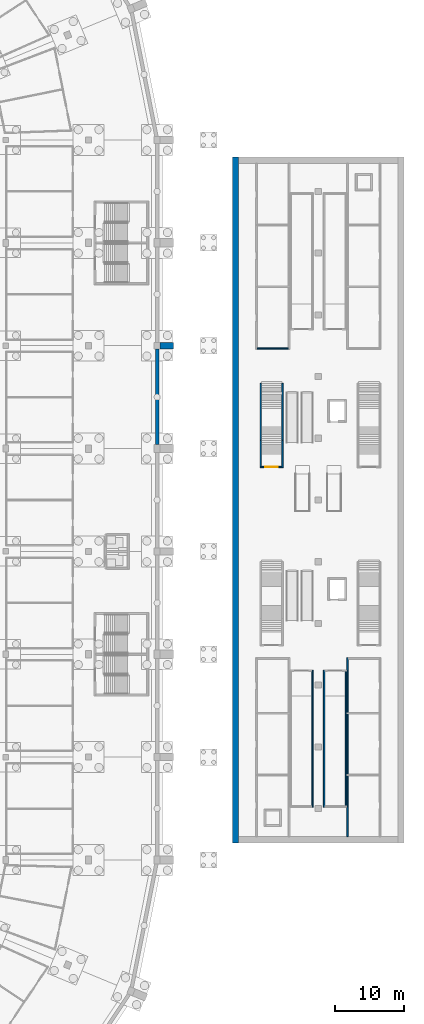
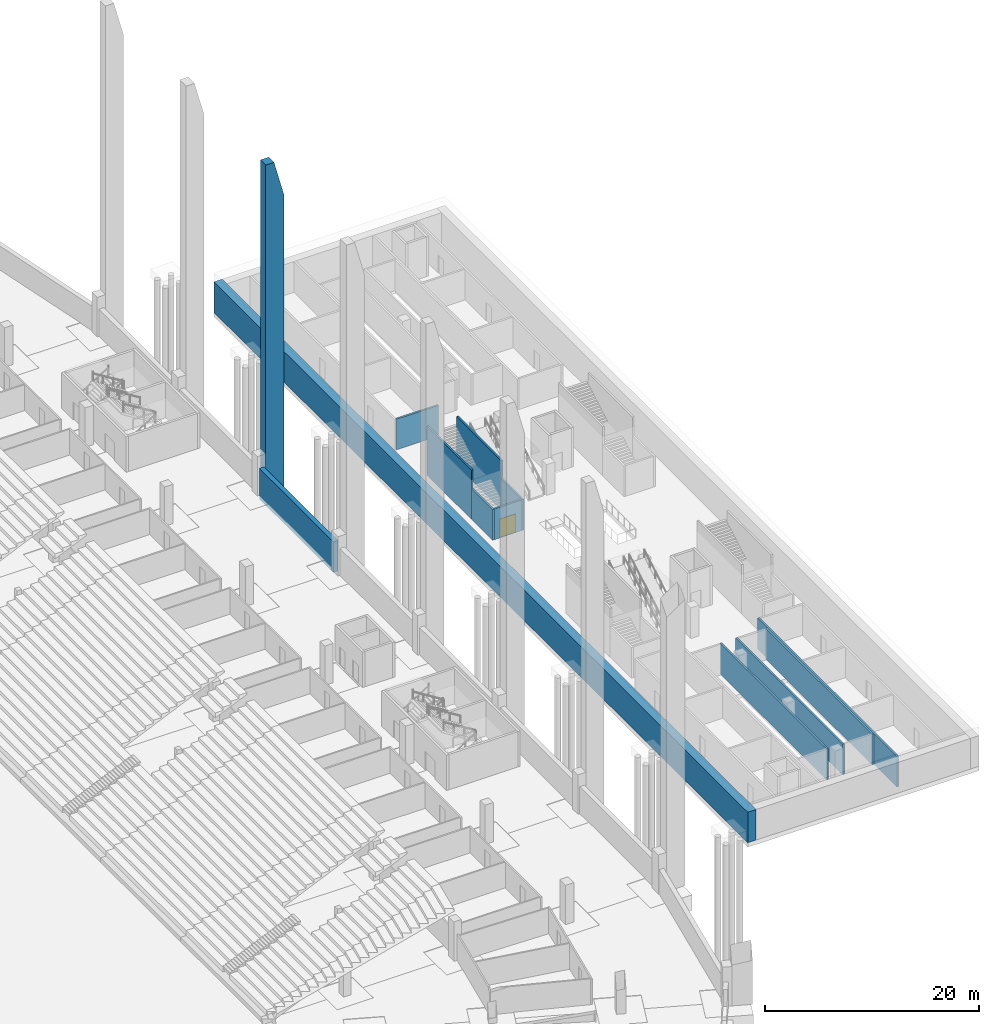
# One storey, part 30 of 115: 13 walls, 1 door, 1 opening.
"""IFC4 building model written with IfcOpenShell, lengths in metres."""

import ifcopenshell
import ifcopenshell.guid

model = None  # the IFC model being written
_history = None  # IfcOwnerHistory: only IFC2X3 demands one
_inside = {}  # id of a spatial element -> (the spatial element, [elements in it])
_under = {}  # id of a project, library or spatial element -> (it, [spatial elements below it])
_declared = {}  # id of a project -> (the project, [libraries it declares])
_typed = {}  # id of a type object -> (the type object, [elements of that type])
_made_of = {}  # id of a material, layer set ... -> (it, [elements and type objects made of it])


def new_model(schema):
    """Start an empty IFC model of exactly this schema.

    Asked for "IFC4X3", IfcOpenShell would pick the latest addendum, in which some entities
    have other attributes; the version numbers below select the first issue.
    IFC2X3 requires an IfcOwnerHistory on every rooted entity: one is made here for all.
    """
    global model, _history
    if schema == "IFC4X3":
        model = ifcopenshell.file(schema_version=(4, 3, 0, 0))
    else:
        model = ifcopenshell.file(schema=schema)
    _inside.clear()
    _under.clear()
    _declared.clear()
    _typed.clear()
    _made_of.clear()
    _history = None
    if model.schema == "IFC2X3":
        org = make("IfcOrganization", Name="unknown")
        user = make(
            "IfcPersonAndOrganization",
            ThePerson=make("IfcPerson", FamilyName="unknown"),
            TheOrganization=org,
        )
        app = make(
            "IfcApplication",
            ApplicationDeveloper=org,
            Version="unknown",
            ApplicationFullName="unknown",
            ApplicationIdentifier="unknown",
        )
        _history = make(
            "IfcOwnerHistory",
            OwningUser=user,
            OwningApplication=app,
            ChangeAction="ADDED",
            CreationDate=0,
        )
    return model


def make(cls, **values):
    """One entity of the class cls with the attributes given. An attribute that is None is left unset."""
    return model.create_entity(
        cls, **{name: value for name, value in values.items() if value is not None}
    )


def rooted(cls, **values):
    """An entity with a GlobalId (a new one), such as an element, a storey or a relation."""
    return make(cls, GlobalId=ifcopenshell.guid.new(), OwnerHistory=_history, **values)


def si_unit(unit_type, name, prefix=None):
    """IfcSIUnit, for example si_unit("LENGTHUNIT", "METRE", prefix="MILLI")."""
    return make("IfcSIUnit", UnitType=unit_type, Prefix=prefix, Name=name)


def assignment(units):
    """IfcUnitAssignment: the units of a project."""
    return None if units is None else make("IfcUnitAssignment", Units=units)


def point(xyz):
    """IfcCartesianPoint."""
    return None if xyz is None else make("IfcCartesianPoint", Coordinates=xyz)


def direction(xyz):
    """IfcDirection."""
    return None if xyz is None else make("IfcDirection", DirectionRatios=xyz)


def frame(location, z_axis=None, x_axis=None):
    """IfcAxis2Placement3D, a coordinate frame: its origin and axes. An axis left out is left unset."""
    return make(
        "IfcAxis2Placement3D",
        Location=point(location),
        Axis=direction(z_axis),
        RefDirection=direction(x_axis),
    )


def frame_2d(location, x_axis=None):
    """IfcAxis2Placement2D, a coordinate frame in the plane: its origin and x axis."""
    return make(
        "IfcAxis2Placement2D", Location=point(location), RefDirection=direction(x_axis)
    )


def origin():
    """The frame at (0, 0, 0) with its axes left unset."""
    return frame((0.0, 0.0, 0.0))


def place(relative_to, where):
    """IfcLocalPlacement: puts the frame where relative to a parent placement (None: the world)."""
    return make(
        "IfcLocalPlacement", PlacementRelTo=relative_to, RelativePlacement=where
    )


def context(
    kind, dimensions, precision=None, world=None, true_north=None, identifier=None
):
    """IfcGeometricRepresentationContext, for example the 3D "Model" context."""
    return make(
        "IfcGeometricRepresentationContext",
        ContextIdentifier=identifier,
        ContextType=kind,
        CoordinateSpaceDimension=dimensions,
        Precision=precision,
        WorldCoordinateSystem=world,
        TrueNorth=true_north,
    )


def subcontext(parent, identifier, kind, view, scale=None):
    """IfcGeometricRepresentationSubContext, for example "Body" below "Model"."""
    return make(
        "IfcGeometricRepresentationSubContext",
        ContextIdentifier=identifier,
        ContextType=kind,
        ParentContext=parent,
        TargetScale=scale,
        TargetView=view,
    )


def project(units=None, contexts=None):
    """IfcProject with its units and contexts."""
    return rooted(
        "IfcProject",
        Name="project",
        RepresentationContexts=contexts,
        UnitsInContext=assignment(units),
    )


def spatial(cls, under=None, at=None, **own):
    """A site, building, storey or space (cls), placed at a placement, below another one or the project."""
    s = rooted(cls, ObjectPlacement=at, **own)
    if under is not None:
        _under.setdefault(under.id(), (under, []))[1].append(s)
    return s


def polyline(points):
    """IfcPolyline through the points."""
    return make("IfcPolyline", Points=[point(p) for p in points])


def profile(cls, at=None, kind="AREA", **sizes):
    """A parametric profile (cls). Its sizes go by their IFC names, for example OverallWidth=200.0."""
    return make(cls, ProfileType=kind, Position=at, **sizes)


def rectangle(**sizes):
    """IfcRectangleProfileDef."""
    return profile("IfcRectangleProfileDef", **sizes)


def outline(outer, holes=None, kind="AREA"):
    """IfcArbitraryClosedProfileDef: a profile drawn as a closed curve; with holes, ...WithVoids."""
    if holes is None:
        return make("IfcArbitraryClosedProfileDef", ProfileType=kind, OuterCurve=outer)
    return make(
        "IfcArbitraryProfileDefWithVoids",
        ProfileType=kind,
        OuterCurve=outer,
        InnerCurves=holes,
    )


def extrude(swept, where, along, depth):
    """IfcExtrudedAreaSolid: the profile swept, set in the frame where, extruded along a direction by depth."""
    return make(
        "IfcExtrudedAreaSolid",
        SweptArea=swept,
        Position=where,
        ExtrudedDirection=direction(along),
        Depth=depth,
    )


def shape(context_of_items, identifier, shape_type, items):
    """IfcShapeRepresentation: the items that make up one representation, for example the "Body"."""
    return make(
        "IfcShapeRepresentation",
        ContextOfItems=context_of_items,
        RepresentationIdentifier=identifier,
        RepresentationType=shape_type,
        Items=items,
    )


def material(Name=None, Category=None):
    """IfcMaterial."""
    return make("IfcMaterial", Name=Name, Category=Category)


def layer(
    of_material, thickness, ventilated=None, Name=None, Category=None, Priority=None
):
    """IfcMaterialLayer: one layer of a wall or slab, of a material (None: an air gap)."""
    return make(
        "IfcMaterialLayer",
        Material=of_material,
        LayerThickness=thickness,
        IsVentilated=ventilated,
        Name=Name,
        Category=Category,
        Priority=Priority,
    )


def layer_set(layers, Name=None):
    """IfcMaterialLayerSet."""
    return make("IfcMaterialLayerSet", MaterialLayers=layers, LayerSetName=Name)


def made_of(thing, what):
    """Note that an element or type object is made of a material, layer set ...; save() writes the relation."""
    if what is not None:
        _made_of.setdefault(what.id(), (what, []))[1].append(thing)
    return thing


def type_object(cls, material=None, **own):
    """A type object (cls), such as IfcWallType, which elements share."""
    return made_of(rooted(cls, **own), material)


def element(
    cls,
    number,
    at=None,
    inside=None,
    cuts=None,
    type_object=None,
    material=None,
    context=None,
    identifier="Body",
    shape_type=None,
    held_by="IfcProductDefinitionShape",
    body=None,
    shapes=None,
    **own,
):
    """One element of the class cls, such as IfcWall. Its Tag is "e" and its number.

    at: its placement. inside: the storey or other place that contains it. cuts: it is an
    opening in that element (IfcRelVoidsElement). A single representation is given by context,
    identifier, shape_type and body (its items); several are given by shapes. held_by: the class
    of the entity that holds the representations. save() writes the other relations.
    """
    e = rooted(cls, Tag="e%d" % number, ObjectPlacement=at, **own)
    if body is not None:
        shapes = [shape(context, identifier, shape_type, body)]
    if shapes is not None:
        e.Representation = make(held_by, Representations=shapes)
    if inside is not None:
        _inside.setdefault(inside.id(), (inside, []))[1].append(e)
    if cuts is not None:
        rooted(
            "IfcRelVoidsElement", RelatingBuildingElement=cuts, RelatedOpeningElement=e
        )
    if type_object is not None:
        _typed.setdefault(type_object.id(), (type_object, []))[1].append(e)
    return made_of(e, material)


def fill(opening, filler):
    """IfcRelFillsElement: the door or window that sits in an opening."""
    return rooted(
        "IfcRelFillsElement",
        RelatingOpeningElement=opening,
        RelatedBuildingElement=filler,
    )


def aggregate(whole, parts):
    """IfcRelAggregates: a whole, such as a stair, and the parts it consists of."""
    return rooted("IfcRelAggregates", RelatingObject=whole, RelatedObjects=parts)


def save(model, path):
    """Write the relations noted so far, then the file.

    IfcRelAggregates (storeys below a building ...), IfcRelContainedInSpatialStructure (elements
    in a storey), IfcRelDefinesByType, IfcRelAssociatesMaterial and IfcRelDeclares: one each for
    every whole, place, type object, material and project.
    """
    for whole, parts in _under.values():
        aggregate(whole, parts)
    for where, things in _inside.values():
        rooted(
            "IfcRelContainedInSpatialStructure",
            RelatedElements=things,
            RelatingStructure=where,
        )
    for kind, things in _typed.values():
        rooted("IfcRelDefinesByType", RelatedObjects=things, RelatingType=kind)
    for what, things in _made_of.values():
        rooted("IfcRelAssociatesMaterial", RelatedObjects=things, RelatingMaterial=what)
    for by, libraries in _declared.values():
        rooted("IfcRelDeclares", RelatingContext=by, RelatedDefinitions=libraries)
    model.write(path)


model = new_model("IFC4")

# Units and contexts
model_context = context("Model", 3, precision=1e-05, world=origin(), true_north=direction((0.0, 1.0)))
body_context = subcontext(model_context, "Body", "Model", "MODEL_VIEW")
ifc_project = project(units=[si_unit("LENGTHUNIT", "METRE"), si_unit("AREAUNIT", "SQUARE_METRE"), si_unit("VOLUMEUNIT", "CUBIC_METRE"), si_unit("PLANEANGLEUNIT", "RADIAN"), si_unit("MASSUNIT", "GRAM", prefix="KILO")], contexts=[model_context])

# Site, building, storey
site_placement = place(None, origin())
site = spatial("IfcSite", under=ifc_project, at=site_placement, CompositionType="ELEMENT")
building_placement = place(site_placement, origin())
building = spatial("IfcBuilding", under=site, at=building_placement, Name="Ogive Plaza Stadium", CompositionType="ELEMENT")
storey_placement = place(building_placement, frame((0.0, 0.0, -4.5)))
storey = spatial("IfcBuildingStorey", under=building, at=storey_placement, Name="B1", CompositionType="ELEMENT", Elevation=-4.5)

# Walls
ifc_material_1 = material(Name="Concrete C45/55 precast", Category="concrete")
ifc_layer_1 = layer(ifc_material_1, 0.949951171875)
ifc_material_2 = material(Name="Cast stone (reconstituted limestone)", Category="masonry")
ifc_layer_2 = layer(ifc_material_2, 0.050048828125)
ifc_layer_set_1 = layer_set([ifc_layer_1, ifc_layer_2], Name="Concrete C45/55 precast, cast stone facing")
wall_type_1 = type_object("IfcWallType", Name="Buttress pier 1000", PredefinedType="SOLIDWALL", material=ifc_layer_set_1)
wall_1_placement = place(storey_placement, frame((84.449951171875, 22.5, 0.0), z_axis=(0.0, 0.0, 1.0), x_axis=(1.0, 0.0, 0.0)))
element("IfcWall", 1, at=wall_1_placement, inside=storey, type_object=wall_type_1, Name="BUTTRESS PIER R03", PredefinedType="SOLIDWALL", context=body_context, shape_type="SweptSolid", body=[
    extrude(outline(polyline([(0.0, 0.0), (1.949951171875, 0.0), (1.949951171875, 33.5), (0.89990234375, 37.5), (0.0, 37.5), (0.0, 0.0)])), frame((0.0, 0.5, 0.0), z_axis=(0.0, -1.0, 0.0), x_axis=(1.0, 0.0, 0.0)), (0.0, 0.0, 1.0), 1.0),
])
ifc_material_3 = material(Name="Concrete C35/45", Category="concrete")
ifc_layer_3 = layer(ifc_material_3, 0.89990234375)
ifc_layer_set_2 = layer_set([ifc_layer_3], Name="Concrete C35/45")
wall_type_2 = type_object("IfcWallType", Name="Diaphragm wall 900", PredefinedType="STANDARD", material=ifc_layer_set_2)
wall_2_placement = place(storey_placement, frame((95.449951171875, -50.0, 0.0), z_axis=(0.0, 0.0, 1.0), x_axis=(0.0, 1.0, 0.0)))
element("IfcWall", 2, at=wall_2_placement, inside=storey, type_object=wall_type_2, Name="Diaphragm wall 900 B1 west", PredefinedType="STANDARD", context=body_context, shape_type="SweptSolid", body=[
    extrude(rectangle(XDim=100.0, YDim=0.89990234375, at=frame_2d((50.0, 0.0))), origin(), (0.0, 0.0, 1.0), 3.5),
])
ifc_material_4 = material(Name="Concrete C40/50", Category="concrete")
ifc_layer_4 = layer(ifc_material_4, 0.5)
ifc_layer_set_3 = layer_set([ifc_layer_4], Name="Concrete C40/50")
wall_type_3 = type_object("IfcWallType", Name="RC retaining wall 500", PredefinedType="SOLIDWALL", material=ifc_layer_set_3)
wall_3_placement = place(storey_placement, frame((84.0, 22.0, -0.39990234375), z_axis=(0.0, 0.0, 1.0), x_axis=(0.0, -1.0, 0.0)))
element("IfcWall", 3, at=wall_3_placement, inside=storey, type_object=wall_type_3, Name="Retaining wall B03", PredefinedType="SOLIDWALL", context=body_context, shape_type="SweptSolid", body=[
    extrude(rectangle(XDim=13.89990234375, YDim=0.5, at=frame_2d((6.949951171875, 0.0))), origin(), (0.0, 0.0, 1.0), 3.489990234375),
])
ifc_material_5 = material(Name="Masonry blockwork", Category="masonry")
ifc_layer_5 = layer(ifc_material_5, 0.199951171875)
ifc_layer_set_4 = layer_set([ifc_layer_5], Name="Room partition 200")
wall_type_4 = type_object("IfcWallType", Name="Room partition 200", PredefinedType="PARTITIONING", material=ifc_layer_set_4)
wall_4_placement = place(storey_placement, frame((111.75, -49.10009765625, 0.0), z_axis=(0.0, 0.0, 1.0), x_axis=(0.0, 1.0, 0.0)))
element("IfcWall", 4, at=wall_4_placement, inside=storey, type_object=wall_type_4, Name="Room partition 200 B1", PredefinedType="PARTITIONING", context=body_context, shape_type="SweptSolid", body=[
    extrude(rectangle(XDim=26.10009765625, YDim=0.199951171875, at=frame_2d((13.050048828125, 0.0))), origin(), (0.0, 0.0, 1.0), 3.5),
])
wall_5_placement = place(storey_placement, frame((98.60009765625, 22.10009765625, 0.0), z_axis=(0.0, 0.0, 1.0), x_axis=(1.0, 0.0, 0.0)))
element("IfcWall", 5, at=wall_5_placement, inside=storey, type_object=wall_type_4, Name="Room partition 200 B1", PredefinedType="PARTITIONING", context=body_context, shape_type="SweptSolid", body=[
    extrude(rectangle(XDim=4.5498046875, YDim=0.199951171875, at=frame_2d((2.27490234375, 0.0))), origin(), (0.0, 0.0, 1.0), 3.5),
])
ifc_material_6 = material(Name="Concrete C40/50", Category="concrete")
ifc_layer_6 = layer(ifc_material_6, 0.199951171875)
ifc_layer_set_5 = layer_set([ifc_layer_6], Name="Concrete C40/50")
wall_type_5 = type_object("IfcWallType", Name="Stair enclosure wall 200", PredefinedType="SHEAR", material=ifc_layer_set_5)
for number, where, z_axis, x_axis, name in (
    (6, (106.64990234375, -44.800048828125, 0.0), (0.0, 0.0, 1.0), (0.0, 1.0, 0.0), "Stair enclosure wall 200 B1 east"),
    (7, (108.35009765625, -44.800048828125, 0.0), (0.0, 0.0, 1.0), (0.0, 1.0, 0.0), "Stair enclosure wall 200 B1 west"),
    (8, (111.550048828125, -44.800048828125, 0.0), (0.0, 0.0, 1.0), (0.0, 1.0, 0.0), "Stair enclosure wall 200 B1 east"),
):
    element("IfcWall", number, at=place(storey_placement, frame(where, z_axis=z_axis, x_axis=x_axis)), inside=storey, type_object=wall_type_5, Name=name, PredefinedType="SHEAR", context=body_context, shape_type="SweptSolid", body=[
        extrude(rectangle(XDim=20.0, YDim=0.199951171875, at=frame_2d((10.0, 0.0))), origin(), (0.0, 0.0, 1.0), 3.5),
    ])
for number, where, z_axis, x_axis, name in (
    (9, (99.10009765625, 4.719970703125, 0.0), (0.0, 0.0, 1.0), (0.0, 1.0, 0.0), "Stair enclosure wall 200 B1 west"),
    (10, (102.300048828125, 4.719970703125, 0.0), (0.0, 0.0, 1.0), (0.0, 1.0, 0.0), "Stair enclosure wall 200 B1 east"),
):
    element("IfcWall", number, at=place(storey_placement, frame(where, z_axis=z_axis, x_axis=x_axis)), inside=storey, type_object=wall_type_5, Name=name, PredefinedType="SHEAR", context=body_context, shape_type="SweptSolid", body=[
        extrude(rectangle(XDim=3.96630859375, YDim=0.199951171875, at=frame_2d((1.983154296875, 0.0))), origin(), (0.0, 0.0, 1.0), 3.5),
    ])

# Wall, opening, door
wall_6_placement = place(storey_placement, frame((99.199951171875, 4.820068359375, 0.0), z_axis=(0.0, 0.0, 1.0), x_axis=(1.0, 0.0, 0.0)))
wall_6 = element("IfcWall", 11, at=wall_6_placement, inside=storey, type_object=wall_type_5, Name="Stair enclosure wall 200 B1 south", PredefinedType="SHEAR", context=body_context, shape_type="SweptSolid", body=[
    extrude(rectangle(XDim=3.0, YDim=0.199951171875, at=frame_2d((1.5, 0.0))), origin(), (0.0, 0.0, 1.0), 3.5),
])
opening_placement = place(wall_6_placement, frame((0.60009765625, 0.0, 0.0)))
opening = element("IfcOpeningElement", 12, at=opening_placement, cuts=wall_6, Name="Opening SD019", PredefinedType="OPENING", context=body_context, shape_type="SweptSolid", body=[
    extrude(rectangle(XDim=1.800048828125, YDim=2.10009765625, at=frame_2d((0.89990234375, 1.050048828125))), frame((0.0, 0.10009765625, 0.0), z_axis=(0.0, -1.0, 0.0), x_axis=(1.0, 0.0, 0.0)), (0.0, 0.0, 1.0), 0.199951171875),
])
ifc_material_7 = material(Name="Steel fire door set", Category="steel")
door_type = type_object("IfcDoorType", Name="Fire door double FD60 1800 x 2100", OperationType="DOUBLE_DOOR_SINGLE_SWING", PredefinedType="DOOR", material=ifc_material_7)
door_placement = place(opening_placement, origin())
door = element("IfcDoor", 13, at=door_placement, inside=storey, type_object=door_type, Name="Door SD019", OperationType="DOUBLE_DOOR_SINGLE_SWING", OverallHeight=2.10009765625, OverallWidth=1.800048828125, PredefinedType="DOOR", context=body_context, shape_type="SweptSolid", body=[
    extrude(rectangle(XDim=1.800048828125, YDim=2.10009765625, at=frame_2d((0.89990234375, 1.050048828125))), frame((0.0, 0.02490234375, 0.0), z_axis=(0.0, -1.0, 0.0), x_axis=(1.0, 0.0, 0.0)), (0.0, 0.0, 1.0), 0.050048828125),
])
fill(opening, door)

# Walls
ifc_material_8 = material(Name="Concrete C40/50", Category="concrete")
ifc_layer_7 = layer(ifc_material_8, 0.199951171875)
ifc_layer_set_6 = layer_set([ifc_layer_7], Name="Concrete C40/50")
wall_type_6 = type_object("IfcWallType", Name="Stair enclosure wall 200 A", PredefinedType="SHEAR", material=ifc_layer_set_6)
for number, where, z_axis, x_axis, name in (
    (14, (99.10009765625, 8.686279296875, 0.0), (0.0, 0.0, 1.0), (0.0, 1.0, 0.0), "Stair enclosure wall 200 B1 west"),
    (15, (102.300048828125, 8.686279296875, 0.0), (0.0, 0.0, 1.0), (0.0, 1.0, 0.0), "Stair enclosure wall 200 B1 east"),
):
    element("IfcWall", number, at=place(storey_placement, frame(where, z_axis=z_axis, x_axis=x_axis)), inside=storey, type_object=wall_type_6, Name=name, PredefinedType="SHEAR", context=body_context, shape_type="SweptSolid", body=[
        extrude(rectangle(XDim=8.313720703125, YDim=0.199951171875, at=frame_2d((4.15673828125, 0.0))), origin(), (0.0, 0.0, 1.0), 5.60009765625),
    ])

save(model, "model.ifc")
